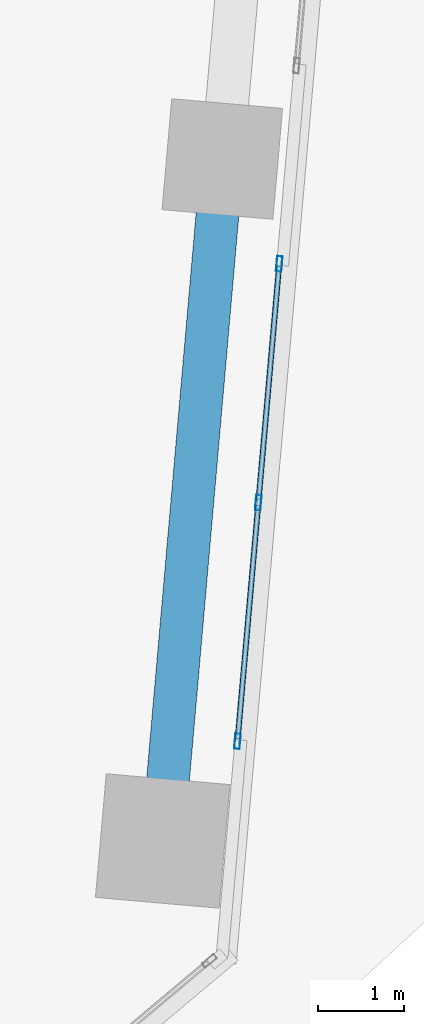
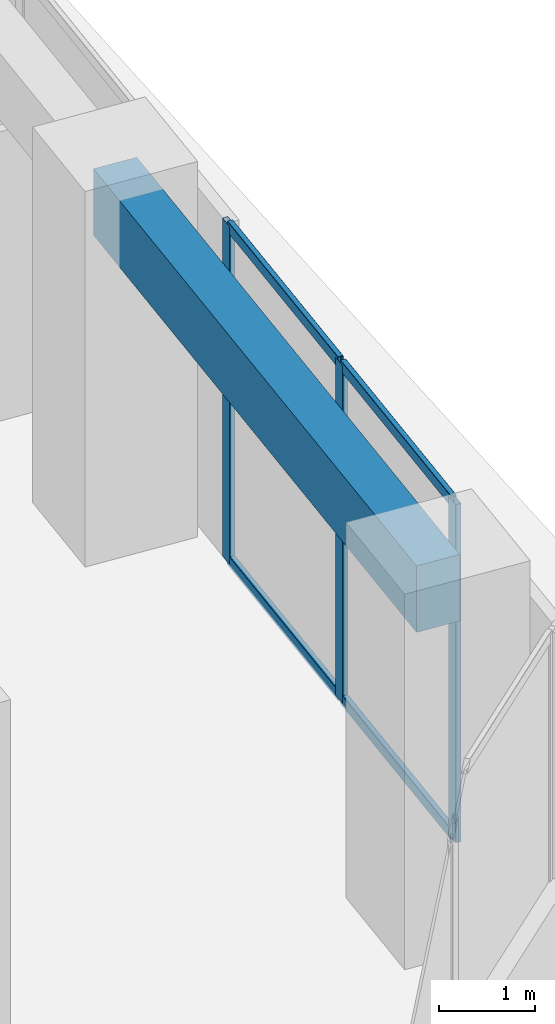
# One storey, part 10 of 24: 7 members, 1 beam, 1 element without a shape of its own.
"""IFC4 building model written with IfcOpenShell, lengths in metres."""

from ifc_helpers import new_model, si_unit, direction, frame, origin, origin_2d, place, context, subcontext, project, spatial, rectangle, hollow_rectangle, extrude, source, transform, mapped, material, material_profile, profile_set, type_object, element, aggregate, save


model = new_model("IFC4")

# Units and contexts
model_context = context("Model", 3, precision=1e-05, world=origin(), true_north=direction((0.0, 1.0)))
body_context = subcontext(model_context, "Body", "Model", "MODEL_VIEW")
ifc_project = project(units=[si_unit("LENGTHUNIT", "METRE"), si_unit("AREAUNIT", "SQUARE_METRE"), si_unit("VOLUMEUNIT", "CUBIC_METRE"), si_unit("PLANEANGLEUNIT", "RADIAN"), si_unit("MASSUNIT", "GRAM", prefix="KILO")], contexts=[model_context])

# Site, building, storey
site_placement = place(None, origin())
site = spatial("IfcSite", under=ifc_project, at=site_placement, CompositionType="ELEMENT")
building_placement = place(site_placement, origin())
building = spatial("IfcBuilding", under=site, at=building_placement, Name="Torre Montelarca", CompositionType="ELEMENT")
storey_placement = place(building_placement, frame((0.0, 0.0, 47.199951171875)))
storey = spatial("IfcBuildingStorey", under=building, at=storey_placement, Name="L10", CompositionType="ELEMENT", Elevation=47.199951171875)

# Beam
ifc_material_1 = material(Name="Concrete C55/67", Category="concrete")
ifc_material_profile_1 = material_profile(ifc_material_1, rectangle(XDim=0.5, YDim=0.85009765625, at=origin_2d()), Name="RCB500X850", Category="concrete")
ifc_profile_set_1 = profile_set([ifc_material_profile_1], Name="Concrete C55/67")
beam_type = type_object("IfcBeamType", Name="BM-SP-RC850-EXT", PredefinedType="SPANDREL", material=ifc_profile_set_1)
shared_shape_1 = source(origin(), body_context, "Body", "SweptSolid", [
    extrude(rectangle(XDim=0.5, YDim=0.85009765625, at=origin_2d()), origin(), (0.0, 0.0, 1.0), 8.000244140625),
])
beam_placement = place(storey_placement, frame((59.15625, 20.6748046875, 4.135009765625), z_axis=(0.087156350505, 0.99619464492, 0.0), x_axis=(-0.99619464492, 0.087156350505, 0.0)))
element("IfcBeam", 1, at=beam_placement, inside=storey, type_object=beam_type, Name="L10 Grid Girder Y 24.0-32.0 at X=60.0", PredefinedType="SPANDREL", context=body_context, shape_type="MappedRepresentation", body=[
    mapped(shared_shape_1, transform((0.0, 0.0, 0.0), scale=1.0)),
])

# Curtain wall, members
ifc_material_2 = material(Name="Insulated low-E laminated glass", Category="glass")
curtain_wall_type = type_object("IfcCurtainWallType", Name="CW-SYS-Z1", PredefinedType="USERDEFINED", material=ifc_material_2)
curtain_wall_placement = place(storey_placement, origin())
curtain_wall = element("IfcCurtainWall", 2, at=curtain_wall_placement, inside=storey, type_object=curtain_wall_type, Name="L10 Curtain Wall Run CW-T3-L10-E06-B1", ObjectType="UNITISED GLAZING", PredefinedType="USERDEFINED")
ifc_material_3 = material(Name="Anodised aluminium AA 6063-T6", Category="aluminium")
ifc_material_profile_2 = material_profile(ifc_material_3, hollow_rectangle(XDim=0.06494140625, YDim=0.179931640625, WallThickness=0.00390625, InnerFilletRadius=0.00390625, OuterFilletRadius=0.008056640625, at=origin_2d()), Name="ALU65X180X4", Category="aluminium")
ifc_profile_set_2 = profile_set([ifc_material_profile_2], Name="Anodised aluminium AA 6063-T6")
member_type_1 = type_object("IfcMemberType", Name="CWM-ALU180", PredefinedType="MULLION", material=ifc_profile_set_2)
shared_shape_2 = source(origin(), body_context, "Body", "SweptSolid", [
    extrude(hollow_rectangle(XDim=0.06494140625, YDim=0.179931640625, WallThickness=0.00390625, InnerFilletRadius=0.00390625, OuterFilletRadius=0.008056640625, at=origin_2d()), origin(), (0.0, 0.0, 1.0), 4.320068359375),
])
member_1_placement = place(storey_placement, frame((60.03125, 21.840576171875, 0.0), z_axis=(0.0, 0.0, 1.0), x_axis=(-0.996193813297, 0.087165855403, 0.0)))
member_1 = element("IfcMember", 3, at=member_1_placement, type_object=member_type_1, Name="CW mullion 1", PredefinedType="MULLION", context=body_context, shape_type="MappedRepresentation", body=[
    mapped(shared_shape_2, transform((0.0, 0.0, 0.0), scale=1.0)),
])
member_2_placement = place(storey_placement, frame((60.275146484375, 24.6298828125, 0.0), z_axis=(0.0, 0.0, 1.0), x_axis=(-0.996193813297, 0.087165855403, 0.0)))
member_2 = element("IfcMember", 4, at=member_2_placement, type_object=member_type_1, Name="CW mullion 2", PredefinedType="MULLION", context=body_context, shape_type="MappedRepresentation", body=[
    mapped(shared_shape_2, transform((0.0, 0.0, 0.0), scale=1.0)),
])
member_3_placement = place(storey_placement, frame((60.519287109375, 27.41943359375, 0.0), z_axis=(0.0, 0.0, 1.0), x_axis=(-0.996193813297, 0.087165855403, 0.0)))
member_3 = element("IfcMember", 5, at=member_3_placement, type_object=member_type_1, Name="CW mullion 3", PredefinedType="MULLION", context=body_context, shape_type="MappedRepresentation", body=[
    mapped(shared_shape_2, transform((0.0, 0.0, 0.0), scale=1.0)),
])
ifc_material_profile_3 = material_profile(ifc_material_3, hollow_rectangle(XDim=0.06494140625, YDim=0.139892578125, WallThickness=0.00390625, InnerFilletRadius=0.00390625, OuterFilletRadius=0.008056640625, at=origin_2d()), Name="ALU65X140X4", Category="aluminium")
ifc_profile_set_3 = profile_set([ifc_material_profile_3], Name="Anodised aluminium AA 6063-T6")
member_type_2 = type_object("IfcMemberType", Name="CWT-ALU140", PredefinedType="USERDEFINED", material=ifc_profile_set_3)
shared_shape_3 = source(origin(), body_context, "Body", "SweptSolid", [
    extrude(hollow_rectangle(XDim=0.06494140625, YDim=0.139892578125, WallThickness=0.00390625, InnerFilletRadius=0.00390625, OuterFilletRadius=0.008056640625, at=origin_2d()), origin(), (0.0, 0.0, 1.0), 2.735107421875),
])
member_4_placement = place(storey_placement, frame((60.033935546875, 21.873046875, 0.032470703125), z_axis=(0.087211243237, 0.99618984087, 0.0), x_axis=(-0.99618984087, 0.087211243237, 0.0)))
member_4 = element("IfcMember", 6, at=member_4_placement, type_object=member_type_2, Name="CW transom 1.1", ObjectType="TRANSOM", PredefinedType="USERDEFINED", context=body_context, shape_type="MappedRepresentation", body=[
    mapped(shared_shape_3, transform((0.0, 0.0, 0.0), scale=1.0)),
])
member_5_placement = place(storey_placement, frame((60.033935546875, 21.873046875, 4.28759765625), z_axis=(0.087211243237, 0.99618984087, 0.0), x_axis=(-0.99618984087, 0.087211243237, 0.0)))
member_5 = element("IfcMember", 7, at=member_5_placement, type_object=member_type_2, Name="CW transom 1.2", ObjectType="TRANSOM", PredefinedType="USERDEFINED", context=body_context, shape_type="MappedRepresentation", body=[
    mapped(shared_shape_3, transform((0.0, 0.0, 0.0), scale=1.0)),
])
member_6_placement = place(storey_placement, frame((60.278076171875, 24.662353515625, 0.032470703125), z_axis=(0.087122656807, 0.996197592183, 0.0), x_axis=(-0.996197592183, 0.087122656807, 0.0)))
member_6 = element("IfcMember", 8, at=member_6_placement, type_object=member_type_2, Name="CW transom 2.1", ObjectType="TRANSOM", PredefinedType="USERDEFINED", context=body_context, shape_type="MappedRepresentation", body=[
    mapped(shared_shape_3, transform((0.0, 0.0, 0.0), scale=1.0)),
])
member_7_placement = place(storey_placement, frame((60.278076171875, 24.662353515625, 4.28759765625), z_axis=(0.087122656807, 0.996197592183, 0.0), x_axis=(-0.996197592183, 0.087122656807, 0.0)))
member_7 = element("IfcMember", 9, at=member_7_placement, type_object=member_type_2, Name="CW transom 2.2", ObjectType="TRANSOM", PredefinedType="USERDEFINED", context=body_context, shape_type="MappedRepresentation", body=[
    mapped(shared_shape_3, transform((0.0, 0.0, 0.0), scale=1.0)),
])
aggregate(curtain_wall, [member_1, member_2, member_3, member_4, member_5, member_6, member_7])

save(model, "model.ifc")
